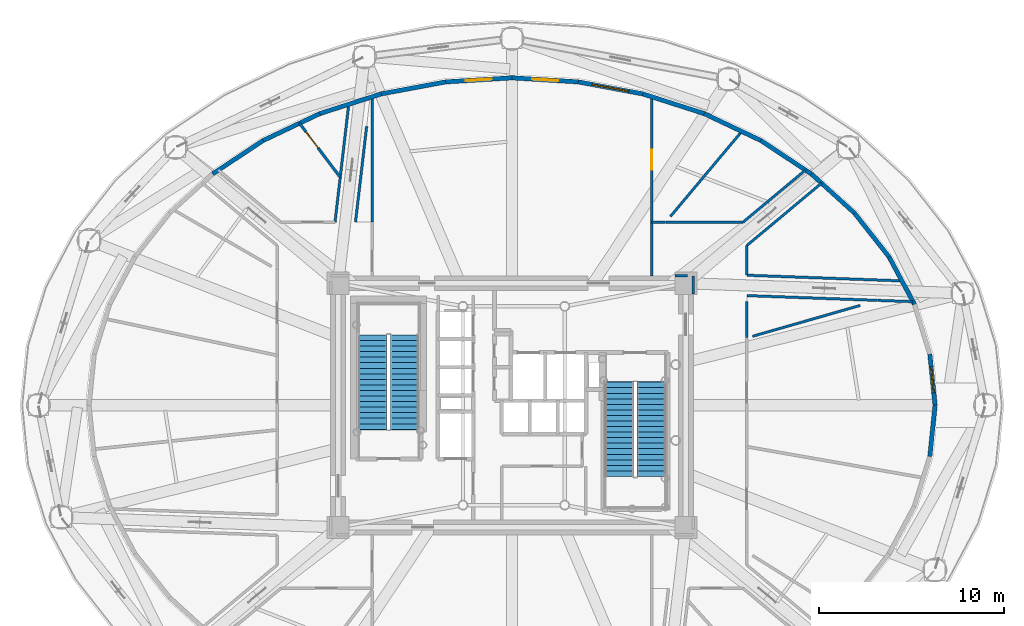
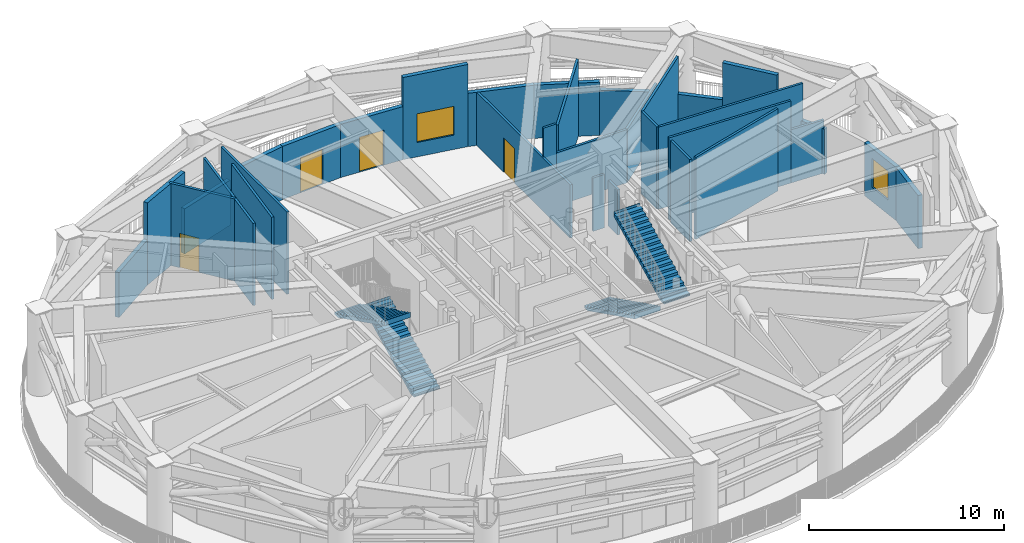
# One storey, part 13 of 20: 33 walls, 4 doors, 4 stair flights, 2 windows, 6 openings, 2 elements without a shape of their own.
"""IFC4 building model written with IfcOpenShell, lengths in metres."""

from ifc_helpers import new_model, si_unit, direction, frame, frame_2d, origin, origin_2d, place, context, subcontext, project, spatial, polyline, rectangle, outline, extrude, source, transform, mapped, material, layer, layer_set, type_object, element, fill, aggregate, save


model = new_model("IFC4")

# Units and contexts
model_context = context("Model", 3, precision=1e-05, world=origin(), true_north=direction((0.0, 1.0)))
body_context = subcontext(model_context, "Body", "Model", "MODEL_VIEW")
ifc_project = project(units=[si_unit("LENGTHUNIT", "METRE"), si_unit("AREAUNIT", "SQUARE_METRE"), si_unit("VOLUMEUNIT", "CUBIC_METRE"), si_unit("PLANEANGLEUNIT", "RADIAN"), si_unit("MASSUNIT", "GRAM", prefix="KILO")], contexts=[model_context])

# Site, building, storey
site_placement = place(None, origin())
site = spatial("IfcSite", under=ifc_project, at=site_placement, CompositionType="ELEMENT")
building_placement = place(site_placement, origin())
building = spatial("IfcBuilding", under=site, at=building_placement, Name="Linh Dai School and Residence Tower", CompositionType="ELEMENT")
storey_placement = place(building_placement, frame((0.0, 0.0, 204.89990234375)))
storey = spatial("IfcBuildingStorey", under=building, at=storey_placement, Name="L50", CompositionType="ELEMENT", Elevation=204.89990234375)

# Wall, opening, window
ifc_material_1 = material(Name="Precast Concrete B45 (C35/45)", Category="concrete")
ifc_layer_1 = layer(ifc_material_1, 0.239990234375)
ifc_layer_set_1 = layer_set([ifc_layer_1], Name="Precast Concrete B45 (C35/45)")
wall_type_1 = type_object("IfcWallType", Name="EW-TC-240", PredefinedType="SOLIDWALL", material=ifc_layer_set_1)
wall_1_placement = place(storey_placement, frame((58.59423828125, 29.76416015625, 0.0), z_axis=(0.0, 0.0, 1.0), x_axis=(0.101052224945, -0.994881122463, 0.0)))
wall_1 = element("IfcWall", 1, at=wall_1_placement, inside=storey, type_object=wall_type_1, Name="L50 Terracotta Exterior Wall 01", PredefinedType="SOLIDWALL", context=body_context, shape_type="SweptSolid", body=[
    extrude(rectangle(XDim=2.7783203125, YDim=0.239990234375, at=frame_2d((1.38916015625, 0.0))), origin(), (0.0, 0.0, 1.0), 3.335205078125),
])
opening_1_placement = place(wall_1_placement, frame((0.689208984375, 0.0, 0.89990234375)))
opening_1 = element("IfcOpeningElement", 2, at=opening_1_placement, cuts=wall_1, Name="Opening W5", PredefinedType="OPENING", context=body_context, shape_type="SweptSolid", body=[
    extrude(rectangle(XDim=1.39990234375, YDim=1.800048828125, at=origin_2d()), frame((0.699951171875, 0.1298828125, 0.89990234375), z_axis=(0.0, -1.0, 0.0), x_axis=(1.0, 0.0, 0.0)), (0.0, 0.0, 1.0), 0.260009765625),
])
ifc_material_2 = material(Name="Anodised Aluminium Weather Louvre", Category="aluminium")
window_type = type_object("IfcWindowType", Name="WN-LV-2000x1800", PartitioningType="SINGLE_PANEL", PredefinedType="USERDEFINED", material=ifc_material_2)
shared_shape_1 = source(origin(), body_context, "Body", "SweptSolid", [
    extrude(rectangle(XDim=1.39990234375, YDim=1.800048828125, at=origin_2d()), frame((0.699951171875, 0.030029296875, 0.89990234375), z_axis=(0.0, -1.0, 0.0), x_axis=(1.0, 0.0, 0.0)), (0.0, 0.0, 1.0), 0.06005859375),
])
window_1_placement = place(opening_1_placement, origin())
window_1 = element("IfcWindow", 3, at=window_1_placement, inside=storey, type_object=window_type, Name="L50 Plant Weather Louvre 01", ObjectType="LOUVRE VENT", OverallHeight=1.800048828125, OverallWidth=1.39990234375, PartitioningType="SINGLE_PANEL", PredefinedType="USERDEFINED", context=body_context, shape_type="MappedRepresentation", body=[
    mapped(shared_shape_1, transform((0.0, 0.0, 0.0), x_axis=(1.0, 0.0, 0.0), y_axis=(0.0, 1.0, 0.0), z_axis=(0.0, 0.0, 1.0), scale=1.0)),
])
fill(opening_1, window_1)

# Walls
wall_2_placement = place(storey_placement, frame((56.388671875, 35.02587890625, 0.0), z_axis=(0.0, 0.0, 1.0), x_axis=(0.471298448495, -0.881973793514, 0.0)))
element("IfcWall", 4, at=wall_2_placement, inside=storey, type_object=wall_type_1, Name="L50 Terracotta Exterior Wall 03", PredefinedType="SOLIDWALL", context=body_context, shape_type="SweptSolid", body=[
    extrude(rectangle(XDim=2.90771484375, YDim=0.239990234375, at=frame_2d((1.453857421875, 0.0))), origin(), (0.0, 0.0, 1.0), 2.83203125),
])
wall_3_placement = place(storey_placement, frame((54.51611328125, 37.394775390625, 0.0), z_axis=(0.0, 0.0, 1.0), x_axis=(0.620129139863, -0.784499744992, 0.0)))
element("IfcWall", 5, at=wall_3_placement, inside=storey, type_object=wall_type_1, Name="L50 Terracotta Exterior Wall 04", PredefinedType="SOLIDWALL", context=body_context, shape_type="SweptSolid", body=[
    extrude(rectangle(XDim=3.01953125, YDim=0.239990234375, at=frame_2d((1.509765625, 0.0))), origin(), (0.0, 0.0, 1.0), 5.150146484375),
])
wall_4_placement = place(storey_placement, frame((52.186767578125, 39.509033203125, 0.0), z_axis=(0.0, 0.0, 1.0), x_axis=(0.740466603827, -0.672093154716, 0.0)))
element("IfcWall", 6, at=wall_4_placement, inside=storey, type_object=wall_type_1, Name="L50 Terracotta Exterior Wall 05", PredefinedType="SOLIDWALL", context=body_context, shape_type="SweptSolid", body=[
    extrude(rectangle(XDim=3.145751953125, YDim=0.239990234375, at=frame_2d((1.57275390625, 0.0))), origin(), (0.0, 0.0, 1.0), 2.83203125),
])
wall_5_placement = place(storey_placement, frame((49.457763671875, 41.31591796875, 0.0), z_axis=(0.0, 0.0, 1.0), x_axis=(0.833801933416, -0.552063706317, 0.0)))
element("IfcWall", 7, at=wall_5_placement, inside=storey, type_object=wall_type_1, Name="L50 Terracotta Exterior Wall 06", PredefinedType="SOLIDWALL", context=body_context, shape_type="SweptSolid", body=[
    extrude(rectangle(XDim=3.27294921875, YDim=0.239990234375, at=frame_2d((1.636474609375, 0.0))), origin(), (0.0, 0.0, 1.0), 2.83203125),
])
wall_6_placement = place(storey_placement, frame((46.395751953125, 42.7705078125, 0.0), z_axis=(0.0, 0.0, 1.0), x_axis=(0.903262152457, -0.429089132861, 0.0)))
element("IfcWall", 8, at=wall_6_placement, inside=storey, type_object=wall_type_1, Name="L50 Terracotta Exterior Wall 07", PredefinedType="SOLIDWALL", context=body_context, shape_type="SweptSolid", body=[
    extrude(rectangle(XDim=3.389892578125, YDim=0.239990234375, at=frame_2d((1.69482421875, 0.0))), origin(), (0.0, 0.0, 1.0), 3.335205078125),
])
wall_7_placement = place(storey_placement, frame((43.076904296875, 43.836181640625, 0.0), z_axis=(0.0, 0.0, 1.0), x_axis=(0.952120339323, -0.305723501629, 0.0)))
element("IfcWall", 9, at=wall_7_placement, inside=storey, type_object=wall_type_1, Name="L50 Terracotta Exterior Wall 08", PredefinedType="SOLIDWALL", context=body_context, shape_type="SweptSolid", body=[
    extrude(rectangle(XDim=3.48583984375, YDim=0.239990234375, at=frame_2d((1.742919921875, 0.0))), origin(), (0.0, 0.0, 1.0), 3.335205078125),
])

# Wall, opening, window
wall_8_placement = place(storey_placement, frame((39.582763671875, 44.486328125, 0.0), z_axis=(0.0, 0.0, 1.0), x_axis=(0.983126314823, -0.182927988847, 0.0)))
wall_8 = element("IfcWall", 10, at=wall_8_placement, inside=storey, type_object=wall_type_1, Name="L50 Terracotta Exterior Wall 09", PredefinedType="SOLIDWALL", context=body_context, shape_type="SweptSolid", body=[
    extrude(rectangle(XDim=3.55419921875, YDim=0.239990234375, at=frame_2d((1.777099609375, 0.0))), origin(), (0.0, 0.0, 1.0), 5.150146484375),
])
opening_2_placement = place(wall_8_placement, frame((0.777099609375, 0.0, 0.89990234375)))
opening_2 = element("IfcOpeningElement", 11, at=opening_2_placement, cuts=wall_8, Name="Opening W5", PredefinedType="OPENING", context=body_context, shape_type="SweptSolid", body=[
    extrude(rectangle(XDim=2.0, YDim=1.800048828125, at=origin_2d()), frame((1.0, 0.1298828125, 0.89990234375), z_axis=(0.0, -1.0, 0.0), x_axis=(1.0, 0.0, 0.0)), (0.0, 0.0, 1.0), 0.260009765625),
])
shared_shape_2 = source(origin(), body_context, "Body", "SweptSolid", [
    extrude(rectangle(XDim=2.0, YDim=1.800048828125, at=origin_2d()), frame((1.0, 0.030029296875, 0.89990234375), z_axis=(0.0, -1.0, 0.0), x_axis=(1.0, 0.0, 0.0)), (0.0, 0.0, 1.0), 0.06005859375),
])
window_2_placement = place(opening_2_placement, origin())
window_2 = element("IfcWindow", 12, at=window_2_placement, inside=storey, type_object=window_type, Name="L50 Plant Weather Louvre 09", ObjectType="LOUVRE VENT", OverallHeight=1.800048828125, OverallWidth=2.0, PartitioningType="SINGLE_PANEL", PredefinedType="USERDEFINED", context=body_context, shape_type="MappedRepresentation", body=[
    mapped(shared_shape_2, transform((0.0, 0.0, 0.0), x_axis=(1.0, 0.0, 0.0), y_axis=(0.0, 1.0, 0.0), z_axis=(0.0, 0.0, 1.0), scale=1.0)),
])
fill(opening_2, window_2)

# Wall, opening, door
wall_9_placement = place(storey_placement, frame((36.0, 44.705078125, 0.0), z_axis=(0.0, 0.0, 1.0), x_axis=(0.998141264339, -0.060942730688, 0.0)))
wall_9 = element("IfcWall", 13, at=wall_9_placement, inside=storey, type_object=wall_type_1, Name="L50 Terracotta Exterior Wall 10", PredefinedType="SOLIDWALL", context=body_context, shape_type="SweptSolid", body=[
    extrude(rectangle(XDim=3.58935546875, YDim=0.239990234375, at=frame_2d((1.794677734375, 0.0))), origin(), (0.0, 0.0, 1.0), 3.335205078125),
])
opening_3_placement = place(wall_9_placement, frame((1.0947265625, 0.0, 0.0)))
opening_3 = element("IfcOpeningElement", 14, at=opening_3_placement, cuts=wall_9, Name="Opening DD1", PredefinedType="OPENING", context=body_context, shape_type="SweptSolid", body=[
    extrude(rectangle(XDim=1.39990234375, YDim=2.199951171875, at=origin_2d()), frame((0.699951171875, 0.1298828125, 1.10009765625), z_axis=(0.0, -1.0, 0.0), x_axis=(1.0, 0.0, 0.0)), (0.0, 0.0, 1.0), 0.260009765625),
])
ifc_material_3 = material(Name="Glazed Aluminium Terrace Door", Category="aluminium")
door_type_1 = type_object("IfcDoorType", Name="DR-DECK-1400x2200", OperationType="NOTDEFINED", PredefinedType="DOOR", material=ifc_material_3)
shared_shape_3 = source(origin(), body_context, "Body", "SweptSolid", [
    extrude(rectangle(XDim=1.39990234375, YDim=2.199951171875, at=origin_2d()), frame((0.699951171875, 0.02490234375, 1.10009765625), z_axis=(0.0, -1.0, 0.0), x_axis=(1.0, 0.0, 0.0)), (0.0, 0.0, 1.0), 0.050048828125),
])
door_1_placement = place(opening_3_placement, origin())
door_1 = element("IfcDoor", 15, at=door_1_placement, inside=storey, type_object=door_type_1, Name="L50 Outdoor Terrace Access Door 10", OperationType="SINGLE_SWING_LEFT", OverallHeight=2.199951171875, OverallWidth=1.39990234375, PredefinedType="DOOR", context=body_context, shape_type="MappedRepresentation", body=[
    mapped(shared_shape_3, transform((0.0, 0.0, 0.0), x_axis=(1.0, 0.0, 0.0), y_axis=(0.0, 1.0, 0.0), z_axis=(0.0, 0.0, 1.0), scale=1.0)),
])
fill(opening_3, door_1)

wall_10_placement = place(storey_placement, frame((32.417236328125, 44.486328125, 0.0), z_axis=(0.0, 0.0, 1.0), x_axis=(0.998141264339, 0.060942730688, 0.0)))
wall_10 = element("IfcWall", 16, at=wall_10_placement, inside=storey, type_object=wall_type_1, Name="L50 Terracotta Exterior Wall 11", PredefinedType="SOLIDWALL", context=body_context, shape_type="SweptSolid", body=[
    extrude(rectangle(XDim=3.58935546875, YDim=0.239990234375, at=frame_2d((1.794677734375, 0.0))), origin(), (0.0, 0.0, 1.0), 3.335205078125),
])
opening_4_placement = place(wall_10_placement, frame((1.0947265625, 0.0, 0.0)))
opening_4 = element("IfcOpeningElement", 17, at=opening_4_placement, cuts=wall_10, Name="Opening DD1", PredefinedType="OPENING", context=body_context, shape_type="SweptSolid", body=[
    extrude(rectangle(XDim=1.39990234375, YDim=2.199951171875, at=origin_2d()), frame((0.699951171875, 0.1298828125, 1.10009765625), z_axis=(0.0, -1.0, 0.0), x_axis=(1.0, 0.0, 0.0)), (0.0, 0.0, 1.0), 0.260009765625),
])
door_2_placement = place(opening_4_placement, origin())
door_2 = element("IfcDoor", 18, at=door_2_placement, inside=storey, type_object=door_type_1, Name="L50 Outdoor Terrace Access Door 11", OperationType="SINGLE_SWING_RIGHT", OverallHeight=2.199951171875, OverallWidth=1.39990234375, PredefinedType="DOOR", context=body_context, shape_type="MappedRepresentation", body=[
    mapped(shared_shape_3, transform((0.0, 0.0, 0.0), x_axis=(1.0, 0.0, 0.0), y_axis=(0.0, 1.0, 0.0), z_axis=(0.0, 0.0, 1.0), scale=1.0)),
])
fill(opening_4, door_2)

# Walls
wall_11_placement = place(storey_placement, frame((28.923095703125, 43.836181640625, 0.0), z_axis=(0.0, 0.0, 1.0), x_axis=(0.983126314823, 0.182927988847, 0.0)))
element("IfcWall", 19, at=wall_11_placement, inside=storey, type_object=wall_type_1, Name="L50 Terracotta Exterior Wall 12", PredefinedType="SOLIDWALL", context=body_context, shape_type="SweptSolid", body=[
    extrude(rectangle(XDim=3.55419921875, YDim=0.239990234375, at=frame_2d((1.777099609375, 0.0))), origin(), (0.0, 0.0, 1.0), 3.335205078125),
])
wall_12_placement = place(storey_placement, frame((25.604248046875, 42.7705078125, 0.0), z_axis=(0.0, 0.0, 1.0), x_axis=(0.952120339323, 0.305723501629, 0.0)))
element("IfcWall", 20, at=wall_12_placement, inside=storey, type_object=wall_type_1, Name="L50 Terracotta Exterior Wall 13", PredefinedType="SOLIDWALL", context=body_context, shape_type="SweptSolid", body=[
    extrude(rectangle(XDim=3.48583984375, YDim=0.239990234375, at=frame_2d((1.742919921875, 0.0))), origin(), (0.0, 0.0, 1.0), 2.83203125),
])
wall_13_placement = place(storey_placement, frame((22.542236328125, 41.31591796875, 0.0), z_axis=(0.0, 0.0, 1.0), x_axis=(0.903262152457, 0.429089132861, 0.0)))
element("IfcWall", 21, at=wall_13_placement, inside=storey, type_object=wall_type_1, Name="L50 Terracotta Exterior Wall 14", PredefinedType="SOLIDWALL", context=body_context, shape_type="SweptSolid", body=[
    extrude(rectangle(XDim=3.389892578125, YDim=0.239990234375, at=frame_2d((1.69482421875, 0.0))), origin(), (0.0, 0.0, 1.0), 5.150146484375),
])
wall_14_placement = place(storey_placement, frame((19.813232421875, 39.509033203125, 0.0), z_axis=(0.0, 0.0, 1.0), x_axis=(0.833801933416, 0.552063706317, 0.0)))
element("IfcWall", 22, at=wall_14_placement, inside=storey, type_object=wall_type_1, Name="L50 Terracotta Exterior Wall 15", PredefinedType="SOLIDWALL", context=body_context, shape_type="SweptSolid", body=[
    extrude(rectangle(XDim=3.27294921875, YDim=0.239990234375, at=frame_2d((1.636474609375, 0.0))), origin(), (0.0, 0.0, 1.0), 2.83203125),
])
wall_15_placement = place(storey_placement, frame((58.875, 27.0, 0.0), z_axis=(0.0, 0.0, 1.0), x_axis=(-0.101052224945, -0.994881122463, 0.0)))
element("IfcWall", 23, at=wall_15_placement, inside=storey, type_object=wall_type_1, Name="L50 Terracotta Exterior Wall 40", PredefinedType="SOLIDWALL", context=body_context, shape_type="SweptSolid", body=[
    extrude(rectangle(XDim=2.7783203125, YDim=0.239990234375, at=frame_2d((1.38916015625, 0.0))), origin(), (0.0, 0.0, 1.0), 3.335205078125),
])
ifc_material_4 = material(Name="Autoclaved Aerated Concrete Blockwork", Category="masonry")
ifc_layer_2 = layer(ifc_material_4, 0.135009765625)
ifc_layer_set_2 = layer_set([ifc_layer_2], Name="Autoclaved Aerated Concrete Blockwork")
wall_type_2 = type_object("IfcWallType", Name="IW-CORR-135-EI90", PredefinedType="PARTITIONING", material=ifc_layer_set_2)
wall_16_placement = place(storey_placement, frame((26.430908203125, 36.89990234375, 0.0), z_axis=(0.0, 0.0, 1.0), x_axis=(0.115778200297, 0.993275091974, 0.0)))
element("IfcWall", 24, at=wall_16_placement, inside=storey, type_object=wall_type_2, Name="L50 Interior Partition Wall 011", PredefinedType="PARTITIONING", context=body_context, shape_type="SweptSolid", body=[
    extrude(rectangle(XDim=6.423095703125, YDim=0.135009765625, at=frame_2d((3.21142578125, 0.0))), origin(), (0.0, 0.0, 1.0), 5.150146484375),
])

# Wall, opening, door
wall_17_placement = place(storey_placement, frame((43.550048828125, 34.0, 0.0), z_axis=(0.0, 0.0, 1.0), x_axis=(0.0, 1.0, 0.0)))
wall_17 = element("IfcWall", 25, at=wall_17_placement, inside=storey, type_object=wall_type_2, Name="L50 Interior Partition Wall 045", PredefinedType="PARTITIONING", context=body_context, shape_type="SweptSolid", body=[
    extrude(rectangle(XDim=9.689453125, YDim=0.135009765625, at=frame_2d((4.8447265625, 0.0))), origin(), (0.0, 0.0, 1.0), 3.335205078125),
])
opening_5_placement = place(wall_17_placement, frame((5.724609375, 0.0, 0.0)))
opening_5 = element("IfcOpeningElement", 26, at=opening_5_placement, cuts=wall_17, Name="Opening D07", PredefinedType="OPENING", context=body_context, shape_type="SweptSolid", body=[
    extrude(rectangle(XDim=1.10009765625, YDim=2.14990234375, at=origin_2d()), frame((0.550048828125, 0.07763671875, 1.074951171875), z_axis=(0.0, -1.0, 0.0), x_axis=(1.0, 0.0, 0.0)), (0.0, 0.0, 1.0), 0.155029296875),
])
ifc_material_5 = material(Name="Fire-Rated Louvred Steel Plant Door", Category="steel")
door_type_2 = type_object("IfcDoorType", Name="DR-PLT-1100x2150-FD60S", OperationType="NOTDEFINED", PredefinedType="DOOR", material=ifc_material_5)
shared_shape_4 = source(origin(), body_context, "Body", "SweptSolid", [
    extrude(rectangle(XDim=1.10009765625, YDim=2.14990234375, at=origin_2d()), frame((0.550048828125, 0.02490234375, 1.074951171875), z_axis=(0.0, -1.0, 0.0), x_axis=(1.0, 0.0, 0.0)), (0.0, 0.0, 1.0), 0.050048828125),
])
door_3_placement = place(opening_5_placement, origin())
door_3 = element("IfcDoor", 27, at=door_3_placement, inside=storey, type_object=door_type_2, Name="L50 Zone Domestic Booster Pump Plant Room Door", OperationType="SINGLE_SWING_LEFT", OverallHeight=2.14990234375, OverallWidth=1.10009765625, PredefinedType="DOOR", context=body_context, shape_type="MappedRepresentation", body=[
    mapped(shared_shape_4, transform((0.0, 0.0, 0.0), x_axis=(1.0, 0.0, 0.0), y_axis=(0.0, 1.0, 0.0), z_axis=(0.0, 0.0, 1.0), scale=1.0)),
])
fill(opening_5, door_3)

# Walls
wall_18_placement = place(storey_placement, frame((43.550048828125, 36.89990234375, 0.0), z_axis=(0.0, 0.0, 1.0), x_axis=(1.0, 0.0, 0.0)))
element("IfcWall", 28, at=wall_18_placement, inside=storey, type_object=wall_type_2, Name="L50 Interior Partition Wall 046", PredefinedType="PARTITIONING", context=body_context, shape_type="SweptSolid", body=[
    extrude(rectangle(XDim=0.757080078125, YDim=0.135009765625, at=frame_2d((0.37841796875, 0.0))), origin(), (0.0, 0.0, 1.0), 5.150146484375),
])
wall_19_placement = place(storey_placement, frame((55.777099609375, 32.6708984375, 0.0), z_axis=(0.0, 0.0, 1.0), x_axis=(0.999334435233, -0.036478576704, 0.0)))
element("IfcWall", 29, at=wall_19_placement, inside=storey, type_object=wall_type_2, Name="L50 Interior Partition Wall 054", PredefinedType="PARTITIONING", context=body_context, shape_type="SweptSolid", body=[
    extrude(rectangle(XDim=1.9140625, YDim=0.135009765625, at=frame_2d((0.95703125, 0.0))), origin(), (0.0, 0.0, 1.0), 3.335205078125),
])
wall_20_placement = place(storey_placement, frame((28.449951171875, 36.909912109375, 0.0), z_axis=(0.0, 0.0, 1.0), x_axis=(0.0, 1.0, 0.0)))
element("IfcWall", 30, at=wall_20_placement, inside=storey, type_object=wall_type_2, Name="L50 Interior Partition Wall 060", PredefinedType="PARTITIONING", context=body_context, shape_type="SweptSolid", body=[
    extrude(rectangle(XDim=6.779541015625, YDim=0.135009765625, at=frame_2d((3.3896484375, 0.0))), origin(), (0.0, 0.0, 1.0), 5.150146484375),
])
wall_21_placement = place(storey_placement, frame((28.142578125, 42.083740234375, 0.0), z_axis=(0.0, 0.0, 1.0), x_axis=(-0.115779934644, -0.993274889813, 0.0)))
element("IfcWall", 31, at=wall_21_placement, inside=storey, type_object=wall_type_2, Name="L50 Interior Partition Wall 067", PredefinedType="PARTITIONING", context=body_context, shape_type="SweptSolid", body=[
    extrude(rectangle(XDim=5.218994140625, YDim=0.135009765625, at=frame_2d((2.609375, 0.0))), origin(), (0.0, 0.0, 1.0), 5.150146484375),
])
wall_22_placement = place(storey_placement, frame((45.800048828125, 33.010009765625, 0.0), z_axis=(0.0, 0.0, 1.0), x_axis=(0.0, 1.0, 0.0)))
element("IfcWall", 32, at=wall_22_placement, inside=storey, type_object=wall_type_2, Name="L50 Interior Partition Wall 075", PredefinedType="PARTITIONING", context=body_context, shape_type="SweptSolid", body=[
    extrude(rectangle(XDim=0.989990234375, YDim=0.135009765625, at=frame_2d((0.4951171875, 0.0))), origin(), (0.0, 0.0, 1.0), 2.83203125),
])
wall_23_placement = place(storey_placement, frame((45.492431640625, 34.0, 0.0), z_axis=(0.0, 0.0, 1.0), x_axis=(-1.0, 0.0, 0.0)))
element("IfcWall", 33, at=wall_23_placement, inside=storey, type_object=wall_type_2, Name="L50 Interior Partition Wall 076", PredefinedType="PARTITIONING", context=body_context, shape_type="SweptSolid", body=[
    extrude(rectangle(XDim=0.682373046875, YDim=0.135009765625, at=frame_2d((0.34130859375, 0.0))), origin(), (0.0, 0.0, 1.0), 3.335205078125),
])
wall_24_placement = place(storey_placement, frame((44.317138671875, 36.89990234375, 0.0), z_axis=(0.0, 0.0, 1.0), x_axis=(1.0, 0.0, 0.0)))
element("IfcWall", 34, at=wall_24_placement, inside=storey, type_object=wall_type_2, Name="L50 Interior Partition Wall 077", PredefinedType="PARTITIONING", context=body_context, shape_type="SweptSolid", body=[
    extrude(rectangle(XDim=4.1767578125, YDim=0.135009765625, at=frame_2d((2.08837890625, 0.0))), origin(), (0.0, 0.0, 1.0), 3.335205078125),
])
wall_25_placement = place(storey_placement, frame((48.493896484375, 36.89990234375, 0.0), z_axis=(0.0, 0.0, 1.0), x_axis=(0.767584642719, 0.640947592446, 0.0)))
element("IfcWall", 35, at=wall_25_placement, inside=storey, type_object=wall_type_2, Name="L50 Interior Partition Wall 078", PredefinedType="PARTITIONING", context=body_context, shape_type="SweptSolid", body=[
    extrude(rectangle(XDim=4.4033203125, YDim=0.135009765625, at=frame_2d((2.20166015625, 0.0))), origin(), (0.0, 0.0, 1.0), 3.335205078125),
])
wall_26_placement = place(storey_placement, frame((52.74072265625, 39.012939453125, 0.0), z_axis=(0.0, 0.0, 1.0), x_axis=(-0.767593674455, -0.640936776084, 0.0)))
element("IfcWall", 36, at=wall_26_placement, inside=storey, type_object=wall_type_2, Name="L50 Interior Partition Wall 079", PredefinedType="PARTITIONING", context=body_context, shape_type="SweptSolid", body=[
    extrude(rectangle(XDim=5.26416015625, YDim=0.135009765625, at=frame_2d((2.632080078125, 0.0))), origin(), (0.0, 0.0, 1.0), 5.150146484375),
])
wall_27_placement = place(storey_placement, frame((48.699951171875, 35.638916015625, 0.0), z_axis=(0.0, 0.0, 1.0), x_axis=(0.0, -1.0, 0.0)))
element("IfcWall", 37, at=wall_27_placement, inside=storey, type_object=wall_type_2, Name="L50 Interior Partition Wall 080", PredefinedType="PARTITIONING", context=body_context, shape_type="SweptSolid", body=[
    extrude(rectangle(XDim=1.60888671875, YDim=0.135009765625, at=frame_2d((0.804443359375, 0.0))), origin(), (0.0, 0.0, 1.0), 5.150146484375),
])
wall_28_placement = place(storey_placement, frame((48.699951171875, 34.030029296875, 0.0), z_axis=(0.0, 0.0, 1.0), x_axis=(0.999334920323, -0.036465285168, 0.0)))
element("IfcWall", 38, at=wall_28_placement, inside=storey, type_object=wall_type_2, Name="L50 Interior Partition Wall 081", PredefinedType="PARTITIONING", context=body_context, shape_type="SweptSolid", body=[
    extrude(rectangle(XDim=8.395751953125, YDim=0.135009765625, at=frame_2d((4.19775390625, 0.0))), origin(), (0.0, 0.0, 1.0), 5.150146484375),
])
wall_29_placement = place(storey_placement, frame((55.76708984375, 32.67138671875, 0.0), z_axis=(0.0, 0.0, 1.0), x_axis=(-0.999335251287, 0.036456213955, 0.0)))
element("IfcWall", 39, at=wall_29_placement, inside=storey, type_object=wall_type_2, Name="L50 Interior Partition Wall 082", PredefinedType="PARTITIONING", context=body_context, shape_type="SweptSolid", body=[
    extrude(rectangle(XDim=7.07177734375, YDim=0.135009765625, at=frame_2d((3.535888671875, 0.0))), origin(), (0.0, 0.0, 1.0), 5.150146484375),
])
wall_30_placement = place(storey_placement, frame((48.699951171875, 32.62158203125, 0.0), z_axis=(0.0, 0.0, 1.0), x_axis=(0.0, -1.0, 0.0)))
element("IfcWall", 40, at=wall_30_placement, inside=storey, type_object=wall_type_2, Name="L50 Interior Partition Wall 083", PredefinedType="PARTITIONING", context=body_context, shape_type="SweptSolid", body=[
    extrude(rectangle(XDim=1.969970703125, YDim=0.135009765625, at=frame_2d((0.98486328125, 0.0))), origin(), (0.0, 0.0, 1.0), 5.150146484375),
])
wall_31_placement = place(storey_placement, frame((49.007568359375, 30.729736328125, 0.0), z_axis=(0.0, 0.0, 1.0), x_axis=(0.961257089457, 0.275653420021, 0.0)))
element("IfcWall", 41, at=wall_31_placement, inside=storey, type_object=wall_type_2, Name="L50 Interior Partition Wall 087", PredefinedType="PARTITIONING", context=body_context, shape_type="SweptSolid", body=[
    extrude(rectangle(XDim=6.0517578125, YDim=0.135009765625, at=frame_2d((3.02587890625, 0.0))), origin(), (0.0, 0.0, 1.0), 5.150146484375),
])
wall_32_placement = place(storey_placement, frame((48.427734375, 41.810791015625, 0.0), z_axis=(0.0, 0.0, 1.0), x_axis=(-0.64278227995, -0.766048915268, 0.0)))
element("IfcWall", 42, at=wall_32_placement, inside=storey, type_object=wall_type_2, Name="L50 Interior Partition Wall 088", PredefinedType="PARTITIONING", context=body_context, shape_type="SweptSolid", body=[
    extrude(rectangle(XDim=6.009033203125, YDim=0.135009765625, at=frame_2d((3.00439453125, 0.0))), origin(), (0.0, 0.0, 1.0), 4.775146484375),
])

# Wall, opening, door
ifc_layer_3 = layer(ifc_material_4, 0.14990234375)
ifc_layer_set_3 = layer_set([ifc_layer_3], Name="Autoclaved Aerated Concrete Blockwork")
wall_type_3 = type_object("IfcWallType", Name="IW-SCH-150-EI60", PredefinedType="PARTITIONING", material=ifc_layer_set_3)
wall_33_placement = place(storey_placement, frame((24.50537109375, 42.25390625, 0.0), z_axis=(0.0, 0.0, 1.0), x_axis=(0.60180841453, -0.798640489959, 0.0)))
wall_33 = element("IfcWall", 43, at=wall_33_placement, inside=storey, type_object=wall_type_3, Name="L50 Interior Partition Wall 010", PredefinedType="PARTITIONING", context=body_context, shape_type="SweptSolid", body=[
    extrude(rectangle(XDim=3.6689453125, YDim=0.14990234375, at=frame_2d((1.83447265625, 0.0))), origin(), (0.0, 0.0, 1.0), 5.150146484375),
])
opening_6_placement = place(wall_33_placement, frame((0.585693359375, 0.0, 0.0)))
opening_6 = element("IfcOpeningElement", 44, at=opening_6_placement, cuts=wall_33, Name="Opening D07", PredefinedType="OPENING", context=body_context, shape_type="SweptSolid", body=[
    extrude(rectangle(XDim=1.10009765625, YDim=2.14990234375, at=origin_2d()), frame((0.550048828125, 0.0849609375, 1.074951171875), z_axis=(0.0, -1.0, 0.0), x_axis=(1.0, 0.0, 0.0)), (0.0, 0.0, 1.0), 0.169921875),
])
door_4_placement = place(opening_6_placement, origin())
door_4 = element("IfcDoor", 45, at=door_4_placement, inside=storey, type_object=door_type_2, Name="L50 Zone HV Transformer Plant Room Door", OperationType="SINGLE_SWING_LEFT", OverallHeight=2.14990234375, OverallWidth=1.10009765625, PredefinedType="DOOR", context=body_context, shape_type="MappedRepresentation", body=[
    mapped(shared_shape_4, transform((0.0, 0.0, 0.0), x_axis=(1.0, 0.0, 0.0), y_axis=(0.0, 1.0, 0.0), z_axis=(0.0, 0.0, 1.0), scale=1.0)),
])
fill(opening_6, door_4)

# Stair, stair flights
ifc_material_6 = material(Name="Concrete B45 (C35/45)", Category="concrete")
stair_type = type_object("IfcStairType", Name="ST-DOG-1550-R1500", PredefinedType="HALF_TURN_STAIR", material=ifc_material_6)
stair_1_placement = place(storey_placement, origin())
stair_1 = element("IfcStair", 46, at=stair_1_placement, inside=storey, type_object=stair_type, Name="L50 Core Smokeproof Exit Stair ST1", PredefinedType="HALF_TURN_STAIR")
stair_flight_type = type_object("IfcStairFlightType", Name="STF-STR-1550-R1500", PredefinedType="STRAIGHT", material=ifc_material_6)
shared_shape_5 = source(origin(), body_context, "Body", "SweptSolid", [
    extrude(outline(polyline([(-0.02490234375, 0.0), (-0.02490234375, 0.06005859375), (0.0, 0.06005859375), (0.0, 0.14990234375), (0.300048828125, 0.14990234375), (0.300048828125, 0.300048828125), (0.60009765625, 0.300048828125), (0.60009765625, 0.449951171875), (0.89990234375, 0.449951171875), (0.89990234375, 0.60009765625), (1.199951171875, 0.60009765625), (1.199951171875, 0.75), (1.5, 0.75), (1.5, 0.89990234375), (1.800048828125, 0.89990234375), (1.800048828125, 1.050048828125), (2.10009765625, 1.050048828125), (2.10009765625, 1.199951171875), (2.39990234375, 1.199951171875), (2.39990234375, 1.35009765625), (2.699951171875, 1.35009765625), (2.699951171875, 1.5), (3.0, 1.5), (3.0, 1.64990234375), (3.300048828125, 1.64990234375), (3.300048828125, 1.800048828125), (3.60009765625, 1.800048828125), (3.60009765625, 1.949951171875), (3.89990234375, 1.949951171875), (3.89990234375, 2.10009765625), (4.199951171875, 2.10009765625), (4.199951171875, 2.25), (4.5, 2.25), (4.5, 2.39990234375), (4.800048828125, 2.39990234375), (4.800048828125, 2.550048828125), (5.10009765625, 2.550048828125), (5.10009765625, 2.699951171875), (5.125, 2.699951171875), (5.125, 2.38232421875), (5.10009765625, 2.38232421875), (0.335205078125, 0.0), (-0.02490234375, 0.0)])), frame((0.0, 0.77490234375, 0.0), z_axis=(0.0, -1.0, 0.0), x_axis=(1.0, 0.0, 0.0)), (0.0, 0.0, 1.0), 1.550048828125),
])
stair_flight_1_placement = place(storey_placement, frame((30.205078125, 25.699951171875, 0.0), z_axis=(0.0, 0.0, 1.0), x_axis=(0.0, 1.0, 0.0)))
stair_flight_1 = element("IfcStairFlight", 47, at=stair_flight_1_placement, type_object=stair_flight_type, Name="ST1 flight 1", NumberOfRisers=18, NumberOfTreads=17, PredefinedType="STRAIGHT", RiserHeight=0.15, TreadLength=0.3, context=body_context, shape_type="MappedRepresentation", body=[
    mapped(shared_shape_5, transform((0.0, 0.0, 0.0), x_axis=(1.0, 0.0, 0.0), y_axis=(0.0, 1.0, 0.0), z_axis=(0.0, 0.0, 1.0), scale=1.0)),
])
stair_flight_2_placement = place(storey_placement, frame((28.455078125, 30.800048828125, 2.7001953125), z_axis=(0.0, 0.0, 1.0), x_axis=(0.0, -1.0, 0.0)))
stair_flight_2 = element("IfcStairFlight", 48, at=stair_flight_2_placement, type_object=stair_flight_type, Name="ST1 flight 2", NumberOfRisers=18, NumberOfTreads=17, PredefinedType="STRAIGHT", RiserHeight=0.15, TreadLength=0.3, context=body_context, shape_type="MappedRepresentation", body=[
    mapped(shared_shape_5, transform((0.0, 0.0, 0.0), x_axis=(1.0, 0.0, 0.0), y_axis=(0.0, 1.0, 0.0), z_axis=(0.0, 0.0, 1.0), scale=1.0)),
])
aggregate(stair_1, [stair_flight_1, stair_flight_2])

stair_2_placement = place(storey_placement, origin())
stair_2 = element("IfcStair", 49, at=stair_2_placement, inside=storey, type_object=stair_type, Name="L50 Core Smokeproof Exit Stair ST2", PredefinedType="HALF_TURN_STAIR")
stair_flight_3_placement = place(storey_placement, frame((41.794921875, 28.25, 0.0), z_axis=(0.0, 0.0, 1.0), x_axis=(0.0, -1.0, 0.0)))
stair_flight_3 = element("IfcStairFlight", 50, at=stair_flight_3_placement, type_object=stair_flight_type, Name="ST2 flight 1", NumberOfRisers=18, NumberOfTreads=17, PredefinedType="STRAIGHT", RiserHeight=0.15, TreadLength=0.3, context=body_context, shape_type="MappedRepresentation", body=[
    mapped(shared_shape_5, transform((0.0, 0.0, 0.0), x_axis=(1.0, 0.0, 0.0), y_axis=(0.0, 1.0, 0.0), z_axis=(0.0, 0.0, 1.0), scale=1.0)),
])
stair_flight_4_placement = place(storey_placement, frame((43.544921875, 23.14990234375, 2.7001953125), z_axis=(0.0, 0.0, 1.0), x_axis=(0.0, 1.0, 0.0)))
stair_flight_4 = element("IfcStairFlight", 51, at=stair_flight_4_placement, type_object=stair_flight_type, Name="ST2 flight 2", NumberOfRisers=18, NumberOfTreads=17, PredefinedType="STRAIGHT", RiserHeight=0.15, TreadLength=0.3, context=body_context, shape_type="MappedRepresentation", body=[
    mapped(shared_shape_5, transform((0.0, 0.0, 0.0), x_axis=(1.0, 0.0, 0.0), y_axis=(0.0, 1.0, 0.0), z_axis=(0.0, 0.0, 1.0), scale=1.0)),
])
aggregate(stair_2, [stair_flight_3, stair_flight_4])

save(model, "model.ifc")
